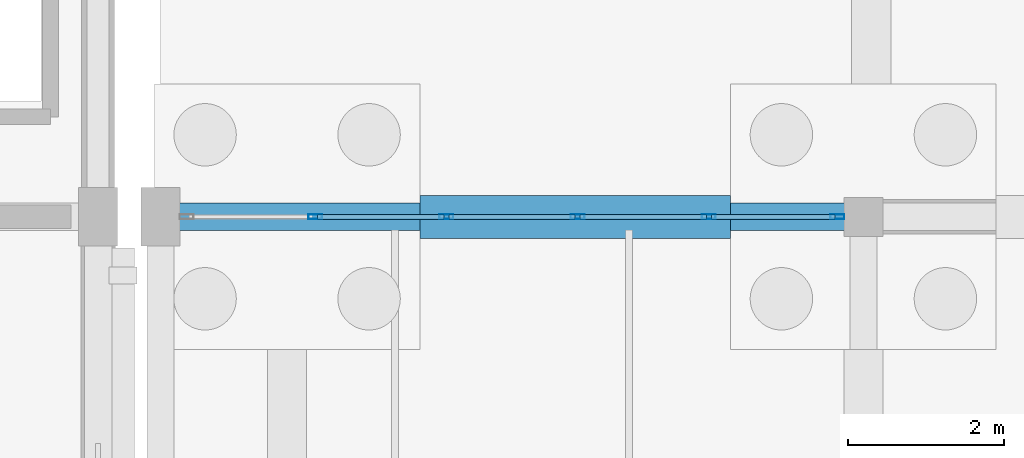
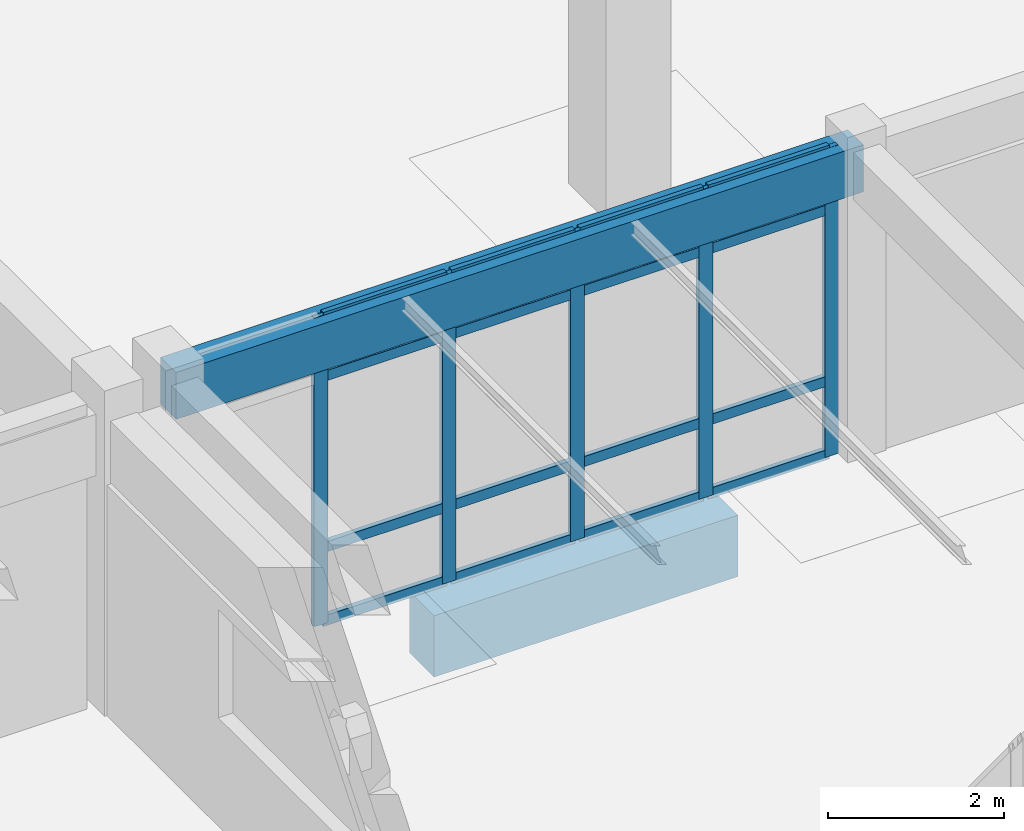
# One storey, part 108 of 186: 21 members, 2 beams, 1 element without a shape of its own.
"""IFC4 building model written with IfcOpenShell, lengths in metres."""

import ifcopenshell
import ifcopenshell.guid

model = None  # the IFC model being written
_history = None  # IfcOwnerHistory: only IFC2X3 demands one
_inside = {}  # id of a spatial element -> (the spatial element, [elements in it])
_under = {}  # id of a project, library or spatial element -> (it, [spatial elements below it])
_declared = {}  # id of a project -> (the project, [libraries it declares])
_typed = {}  # id of a type object -> (the type object, [elements of that type])
_made_of = {}  # id of a material, layer set ... -> (it, [elements and type objects made of it])


def new_model(schema):
    """Start an empty IFC model of exactly this schema.

    Asked for "IFC4X3", IfcOpenShell would pick the latest addendum, in which some entities
    have other attributes; the version numbers below select the first issue.
    IFC2X3 requires an IfcOwnerHistory on every rooted entity: one is made here for all.
    """
    global model, _history
    if schema == "IFC4X3":
        model = ifcopenshell.file(schema_version=(4, 3, 0, 0))
    else:
        model = ifcopenshell.file(schema=schema)
    _inside.clear()
    _under.clear()
    _declared.clear()
    _typed.clear()
    _made_of.clear()
    _history = None
    if model.schema == "IFC2X3":
        org = make("IfcOrganization", Name="unknown")
        user = make(
            "IfcPersonAndOrganization",
            ThePerson=make("IfcPerson", FamilyName="unknown"),
            TheOrganization=org,
        )
        app = make(
            "IfcApplication",
            ApplicationDeveloper=org,
            Version="unknown",
            ApplicationFullName="unknown",
            ApplicationIdentifier="unknown",
        )
        _history = make(
            "IfcOwnerHistory",
            OwningUser=user,
            OwningApplication=app,
            ChangeAction="ADDED",
            CreationDate=0,
        )
    return model


def make(cls, **values):
    """One entity of the class cls with the attributes given. An attribute that is None is left unset."""
    return model.create_entity(
        cls, **{name: value for name, value in values.items() if value is not None}
    )


def rooted(cls, **values):
    """An entity with a GlobalId (a new one), such as an element, a storey or a relation."""
    return make(cls, GlobalId=ifcopenshell.guid.new(), OwnerHistory=_history, **values)


def si_unit(unit_type, name, prefix=None):
    """IfcSIUnit, for example si_unit("LENGTHUNIT", "METRE", prefix="MILLI")."""
    return make("IfcSIUnit", UnitType=unit_type, Prefix=prefix, Name=name)


def assignment(units):
    """IfcUnitAssignment: the units of a project."""
    return None if units is None else make("IfcUnitAssignment", Units=units)


def point(xyz):
    """IfcCartesianPoint."""
    return None if xyz is None else make("IfcCartesianPoint", Coordinates=xyz)


def direction(xyz):
    """IfcDirection."""
    return None if xyz is None else make("IfcDirection", DirectionRatios=xyz)


def frame(location, z_axis=None, x_axis=None):
    """IfcAxis2Placement3D, a coordinate frame: its origin and axes. An axis left out is left unset."""
    return make(
        "IfcAxis2Placement3D",
        Location=point(location),
        Axis=direction(z_axis),
        RefDirection=direction(x_axis),
    )


def frame_2d(location, x_axis=None):
    """IfcAxis2Placement2D, a coordinate frame in the plane: its origin and x axis."""
    return make(
        "IfcAxis2Placement2D", Location=point(location), RefDirection=direction(x_axis)
    )


def origin():
    """The frame at (0, 0, 0) with its axes left unset."""
    return frame((0.0, 0.0, 0.0))


def origin_2d():
    """The frame at (0, 0) in the plane with its x axis left unset."""
    return frame_2d((0.0, 0.0))


def place(relative_to, where):
    """IfcLocalPlacement: puts the frame where relative to a parent placement (None: the world)."""
    return make(
        "IfcLocalPlacement", PlacementRelTo=relative_to, RelativePlacement=where
    )


def context(
    kind, dimensions, precision=None, world=None, true_north=None, identifier=None
):
    """IfcGeometricRepresentationContext, for example the 3D "Model" context."""
    return make(
        "IfcGeometricRepresentationContext",
        ContextIdentifier=identifier,
        ContextType=kind,
        CoordinateSpaceDimension=dimensions,
        Precision=precision,
        WorldCoordinateSystem=world,
        TrueNorth=true_north,
    )


def subcontext(parent, identifier, kind, view, scale=None):
    """IfcGeometricRepresentationSubContext, for example "Body" below "Model"."""
    return make(
        "IfcGeometricRepresentationSubContext",
        ContextIdentifier=identifier,
        ContextType=kind,
        ParentContext=parent,
        TargetScale=scale,
        TargetView=view,
    )


def project(units=None, contexts=None):
    """IfcProject with its units and contexts."""
    return rooted(
        "IfcProject",
        Name="project",
        RepresentationContexts=contexts,
        UnitsInContext=assignment(units),
    )


def spatial(cls, under=None, at=None, **own):
    """A site, building, storey or space (cls), placed at a placement, below another one or the project."""
    s = rooted(cls, ObjectPlacement=at, **own)
    if under is not None:
        _under.setdefault(under.id(), (under, []))[1].append(s)
    return s


def profile(cls, at=None, kind="AREA", **sizes):
    """A parametric profile (cls). Its sizes go by their IFC names, for example OverallWidth=200.0."""
    return make(cls, ProfileType=kind, Position=at, **sizes)


def rectangle(**sizes):
    """IfcRectangleProfileDef."""
    return profile("IfcRectangleProfileDef", **sizes)


def hollow_rectangle(**sizes):
    """IfcRectangleHollowProfileDef."""
    return profile("IfcRectangleHollowProfileDef", **sizes)


def extrude(swept, where, along, depth):
    """IfcExtrudedAreaSolid: the profile swept, set in the frame where, extruded along a direction by depth."""
    return make(
        "IfcExtrudedAreaSolid",
        SweptArea=swept,
        Position=where,
        ExtrudedDirection=direction(along),
        Depth=depth,
    )


def shape(context_of_items, identifier, shape_type, items):
    """IfcShapeRepresentation: the items that make up one representation, for example the "Body"."""
    return make(
        "IfcShapeRepresentation",
        ContextOfItems=context_of_items,
        RepresentationIdentifier=identifier,
        RepresentationType=shape_type,
        Items=items,
    )


def material(Name=None, Category=None):
    """IfcMaterial."""
    return make("IfcMaterial", Name=Name, Category=Category)


def layer(
    of_material, thickness, ventilated=None, Name=None, Category=None, Priority=None
):
    """IfcMaterialLayer: one layer of a wall or slab, of a material (None: an air gap)."""
    return make(
        "IfcMaterialLayer",
        Material=of_material,
        LayerThickness=thickness,
        IsVentilated=ventilated,
        Name=Name,
        Category=Category,
        Priority=Priority,
    )


def layer_set(layers, Name=None):
    """IfcMaterialLayerSet."""
    return make("IfcMaterialLayerSet", MaterialLayers=layers, LayerSetName=Name)


def material_profile(
    of_material, cross_section, Name=None, Category=None, Priority=None
):
    """IfcMaterialProfile: a cross section and its material."""
    return make(
        "IfcMaterialProfile",
        Name=Name,
        Material=of_material,
        Profile=cross_section,
        Priority=Priority,
        Category=Category,
    )


def profile_set(profiles, Name=None, composite=None):
    """IfcMaterialProfileSet."""
    return make(
        "IfcMaterialProfileSet",
        Name=Name,
        MaterialProfiles=profiles,
        CompositeProfile=composite,
    )


def made_of(thing, what):
    """Note that an element or type object is made of a material, layer set ...; save() writes the relation."""
    if what is not None:
        _made_of.setdefault(what.id(), (what, []))[1].append(thing)
    return thing


def type_object(cls, material=None, **own):
    """A type object (cls), such as IfcWallType, which elements share."""
    return made_of(rooted(cls, **own), material)


def element(
    cls,
    number,
    at=None,
    inside=None,
    cuts=None,
    type_object=None,
    material=None,
    context=None,
    identifier="Body",
    shape_type=None,
    held_by="IfcProductDefinitionShape",
    body=None,
    shapes=None,
    **own,
):
    """One element of the class cls, such as IfcWall. Its Tag is "e" and its number.

    at: its placement. inside: the storey or other place that contains it. cuts: it is an
    opening in that element (IfcRelVoidsElement). A single representation is given by context,
    identifier, shape_type and body (its items); several are given by shapes. held_by: the class
    of the entity that holds the representations. save() writes the other relations.
    """
    e = rooted(cls, Tag="e%d" % number, ObjectPlacement=at, **own)
    if body is not None:
        shapes = [shape(context, identifier, shape_type, body)]
    if shapes is not None:
        e.Representation = make(held_by, Representations=shapes)
    if inside is not None:
        _inside.setdefault(inside.id(), (inside, []))[1].append(e)
    if cuts is not None:
        rooted(
            "IfcRelVoidsElement", RelatingBuildingElement=cuts, RelatedOpeningElement=e
        )
    if type_object is not None:
        _typed.setdefault(type_object.id(), (type_object, []))[1].append(e)
    return made_of(e, material)


def aggregate(whole, parts):
    """IfcRelAggregates: a whole, such as a stair, and the parts it consists of."""
    return rooted("IfcRelAggregates", RelatingObject=whole, RelatedObjects=parts)


def save(model, path):
    """Write the relations noted so far, then the file.

    IfcRelAggregates (storeys below a building ...), IfcRelContainedInSpatialStructure (elements
    in a storey), IfcRelDefinesByType, IfcRelAssociatesMaterial and IfcRelDeclares: one each for
    every whole, place, type object, material and project.
    """
    for whole, parts in _under.values():
        aggregate(whole, parts)
    for where, things in _inside.values():
        rooted(
            "IfcRelContainedInSpatialStructure",
            RelatedElements=things,
            RelatingStructure=where,
        )
    for kind, things in _typed.values():
        rooted("IfcRelDefinesByType", RelatedObjects=things, RelatingType=kind)
    for what, things in _made_of.values():
        rooted("IfcRelAssociatesMaterial", RelatedObjects=things, RelatingMaterial=what)
    for by, libraries in _declared.values():
        rooted("IfcRelDeclares", RelatingContext=by, RelatedDefinitions=libraries)
    model.write(path)


model = new_model("IFC4")

# Units and contexts
model_context = context("Model", 3, precision=1e-05, world=origin(), true_north=direction((0.0, 1.0)))
body_context = subcontext(model_context, "Body", "Model", "MODEL_VIEW")
ifc_project = project(units=[si_unit("LENGTHUNIT", "METRE"), si_unit("AREAUNIT", "SQUARE_METRE"), si_unit("VOLUMEUNIT", "CUBIC_METRE"), si_unit("PLANEANGLEUNIT", "RADIAN"), si_unit("MASSUNIT", "GRAM", prefix="KILO")], contexts=[model_context])

# Site, building, storey
site_placement = place(None, origin())
site = spatial("IfcSite", under=ifc_project, at=site_placement, CompositionType="ELEMENT")
building_placement = place(site_placement, origin())
building = spatial("IfcBuilding", under=site, at=building_placement, Name="Ornek Quay Market", CompositionType="ELEMENT")
storey_placement = place(building_placement, origin())
storey = spatial("IfcBuildingStorey", under=building, at=storey_placement, Name="L00", CompositionType="ELEMENT", Elevation=0.0)

# Beams
ifc_material_1 = material(Name="Concrete C35/45", Category="concrete")
ifc_material_profile_1 = material_profile(ifc_material_1, rectangle(XDim=0.35009765625, YDim=0.64990234375, at=origin_2d()), Name="RC 350x650", Category="concrete")
ifc_profile_set_1 = profile_set([ifc_material_profile_1], Name="Concrete C35/45")
beam_type_1 = type_object("IfcBeamType", Name="BM-CONC-350x650", PredefinedType="BEAM", material=ifc_profile_set_1)
beam_1_placement = place(storey_placement, frame((126.0, 29.0, 3.945068359375), z_axis=(1.0, 0.0, 0.0), x_axis=(0.0, 1.0, 0.0)))
element("IfcBeam", 1, at=beam_1_placement, inside=storey, type_object=beam_type_1, Name="Primary beam B-CN1-090", PredefinedType="BEAM", context=body_context, shape_type="SweptSolid", body=[
    extrude(rectangle(XDim=0.35009765625, YDim=0.64990234375, at=origin_2d()), origin(), (0.0, 0.0, 1.0), 9.0),
])
ifc_material_profile_2 = material_profile(ifc_material_1, rectangle(XDim=0.550048828125, YDim=0.85009765625, at=origin_2d()), Name="RC 550x850", Category="concrete")
ifc_profile_set_2 = profile_set([ifc_material_profile_2], Name="Concrete C35/45")
beam_type_2 = type_object("IfcBeamType", Name="BM-GB-550x850", PredefinedType="BEAM", material=ifc_profile_set_2)
beam_2_placement = place(storey_placement, frame((129.320068359375, 29.0, -0.625), z_axis=(1.0, 0.0, 0.0), x_axis=(0.0, 1.0, 0.0)))
element("IfcBeam", 2, at=beam_2_placement, inside=storey, type_object=beam_type_2, Name="Ground tie beam GB-311", PredefinedType="BEAM", context=body_context, shape_type="SweptSolid", body=[
    extrude(rectangle(XDim=0.550048828125, YDim=0.85009765625, at=origin_2d()), origin(), (0.0, 0.0, 1.0), 3.97998046875),
])

# Curtain wall, members
ifc_material_2 = material(Name="Anodised bronze aluminium and triple low-e glass", Category="aluminium")
ifc_layer = layer(ifc_material_2, 0.199951171875, Name="Anodised bronze aluminium and triple low-e glass", Category="aluminium")
ifc_layer_set = layer_set([ifc_layer], Name="Anodised bronze aluminium and triple low-e glass")
curtain_wall_type = type_object("IfcCurtainWallType", Name="CW-CONC-MOD1800", PredefinedType="USERDEFINED", material=ifc_layer_set)
curtain_wall_placement = place(storey_placement, origin())
curtain_wall = element("IfcCurtainWall", 3, at=curtain_wall_placement, inside=storey, type_object=curtain_wall_type, Name="Curtain wall CW-027", ObjectType="CURTAIN WALL", PredefinedType="USERDEFINED")
ifc_material_3 = material(Name="Anodised aluminium 6063-T6", Category="aluminium")
ifc_material_profile_3 = material_profile(ifc_material_3, hollow_rectangle(XDim=0.06494140625, YDim=0.179931640625, WallThickness=0.00439453125, at=origin_2d()), Name="CW-MUL-65x180", Category="aluminium")
ifc_profile_set_3 = profile_set([ifc_material_profile_3], Name="Anodised aluminium 6063-T6")
member_type_1 = type_object("IfcMemberType", Name="CW-MUL-65x180", PredefinedType="MULLION", material=ifc_profile_set_3)
member_1_placement = place(storey_placement, frame((127.97998046875, 29.0, 0.0), z_axis=(0.0, 0.0, 1.0), x_axis=(0.0, 1.0, 0.0)))
member_1 = element("IfcMember", 4, at=member_1_placement, type_object=member_type_1, Name="CW-027 mullion 2", PredefinedType="MULLION", context=body_context, shape_type="SweptSolid", body=[
    extrude(hollow_rectangle(XDim=0.06494140625, YDim=0.179931640625, WallThickness=0.00439453125, at=origin_2d()), origin(), (0.0, 0.0, 1.0), 4.27001953125),
])
member_2_placement = place(storey_placement, frame((129.659912109375, 29.0, 0.0), z_axis=(0.0, 0.0, 1.0), x_axis=(0.0, 1.0, 0.0)))
member_2 = element("IfcMember", 5, at=member_2_placement, type_object=member_type_1, Name="CW-027 mullion 3", PredefinedType="MULLION", context=body_context, shape_type="SweptSolid", body=[
    extrude(hollow_rectangle(XDim=0.06494140625, YDim=0.179931640625, WallThickness=0.00439453125, at=origin_2d()), origin(), (0.0, 0.0, 1.0), 4.27001953125),
])
member_3_placement = place(storey_placement, frame((131.340087890625, 29.0, 0.0), z_axis=(0.0, 0.0, 1.0), x_axis=(0.0, 1.0, 0.0)))
member_3 = element("IfcMember", 6, at=member_3_placement, type_object=member_type_1, Name="CW-027 mullion 4", PredefinedType="MULLION", context=body_context, shape_type="SweptSolid", body=[
    extrude(hollow_rectangle(XDim=0.06494140625, YDim=0.179931640625, WallThickness=0.00439453125, at=origin_2d()), origin(), (0.0, 0.0, 1.0), 4.27001953125),
])
member_4_placement = place(storey_placement, frame((133.02001953125, 29.0, 0.0), z_axis=(0.0, 0.0, 1.0), x_axis=(0.0, 1.0, 0.0)))
member_4 = element("IfcMember", 7, at=member_4_placement, type_object=member_type_1, Name="CW-027 mullion 5", PredefinedType="MULLION", context=body_context, shape_type="SweptSolid", body=[
    extrude(hollow_rectangle(XDim=0.06494140625, YDim=0.179931640625, WallThickness=0.00439453125, at=origin_2d()), origin(), (0.0, 0.0, 1.0), 4.27001953125),
])
member_5_placement = place(storey_placement, frame((134.66748046875, 29.0, 0.0), z_axis=(0.0, 0.0, 1.0), x_axis=(0.0, 1.0, 0.0)))
member_5 = element("IfcMember", 8, at=member_5_placement, type_object=member_type_1, Name="CW-027 mullion 6", PredefinedType="MULLION", context=body_context, shape_type="SweptSolid", body=[
    extrude(hollow_rectangle(XDim=0.06494140625, YDim=0.179931640625, WallThickness=0.00439453125, at=origin_2d()), origin(), (0.0, 0.0, 1.0), 4.27001953125),
])
ifc_material_profile_4 = material_profile(ifc_material_3, hollow_rectangle(XDim=0.06494140625, YDim=0.139892578125, WallThickness=0.00439453125, at=origin_2d()), Name="CW-TRN-65x140", Category="aluminium")
ifc_profile_set_4 = profile_set([ifc_material_profile_4], Name="Anodised aluminium 6063-T6")
member_type_2 = type_object("IfcMemberType", Name="CW-TRN-65x140", PredefinedType="USERDEFINED", material=ifc_profile_set_4)
member_6_placement = place(storey_placement, frame((128.012451171875, 29.0, 0.032470703125), z_axis=(1.0, 0.0, 0.0), x_axis=(0.0, 1.0, 0.0)))
member_6 = element("IfcMember", 9, at=member_6_placement, type_object=member_type_2, Name="CW-027 transom 2.1", ObjectType="TRANSOM", PredefinedType="USERDEFINED", context=body_context, shape_type="SweptSolid", body=[
    extrude(hollow_rectangle(XDim=0.06494140625, YDim=0.139892578125, WallThickness=0.00439453125, at=origin_2d()), origin(), (0.0, 0.0, 1.0), 1.614990234375),
])
member_7_placement = place(storey_placement, frame((128.012451171875, 29.0, 1.050048828125), z_axis=(1.0, 0.0, 0.0), x_axis=(0.0, 1.0, 0.0)))
member_7 = element("IfcMember", 10, at=member_7_placement, type_object=member_type_2, Name="CW-027 transom 2.2", ObjectType="TRANSOM", PredefinedType="USERDEFINED", context=body_context, shape_type="SweptSolid", body=[
    extrude(hollow_rectangle(XDim=0.06494140625, YDim=0.139892578125, WallThickness=0.00439453125, at=origin_2d()), origin(), (0.0, 0.0, 1.0), 1.614990234375),
])
member_8_placement = place(storey_placement, frame((128.012451171875, 29.0, 3.419921875), z_axis=(1.0, 0.0, 0.0), x_axis=(0.0, 1.0, 0.0)))
member_8 = element("IfcMember", 11, at=member_8_placement, type_object=member_type_2, Name="CW-027 transom 2.3", ObjectType="TRANSOM", PredefinedType="USERDEFINED", context=body_context, shape_type="SweptSolid", body=[
    extrude(hollow_rectangle(XDim=0.06494140625, YDim=0.139892578125, WallThickness=0.00439453125, at=origin_2d()), origin(), (0.0, 0.0, 1.0), 1.614990234375),
])
member_9_placement = place(storey_placement, frame((128.012451171875, 29.0, 4.237548828125), z_axis=(1.0, 0.0, 0.0), x_axis=(0.0, 1.0, 0.0)))
member_9 = element("IfcMember", 12, at=member_9_placement, type_object=member_type_2, Name="CW-027 transom 2.4", ObjectType="TRANSOM", PredefinedType="USERDEFINED", context=body_context, shape_type="SweptSolid", body=[
    extrude(hollow_rectangle(XDim=0.06494140625, YDim=0.139892578125, WallThickness=0.00439453125, at=origin_2d()), origin(), (0.0, 0.0, 1.0), 1.614990234375),
])
member_10_placement = place(storey_placement, frame((129.6923828125, 29.0, 0.032470703125), z_axis=(1.0, 0.0, 0.0), x_axis=(0.0, 1.0, 0.0)))
member_10 = element("IfcMember", 13, at=member_10_placement, type_object=member_type_2, Name="CW-027 transom 3.1", ObjectType="TRANSOM", PredefinedType="USERDEFINED", context=body_context, shape_type="SweptSolid", body=[
    extrude(hollow_rectangle(XDim=0.06494140625, YDim=0.139892578125, WallThickness=0.00439453125, at=origin_2d()), origin(), (0.0, 0.0, 1.0), 1.615234375),
])
member_11_placement = place(storey_placement, frame((129.6923828125, 29.0, 1.050048828125), z_axis=(1.0, 0.0, 0.0), x_axis=(0.0, 1.0, 0.0)))
member_11 = element("IfcMember", 14, at=member_11_placement, type_object=member_type_2, Name="CW-027 transom 3.2", ObjectType="TRANSOM", PredefinedType="USERDEFINED", context=body_context, shape_type="SweptSolid", body=[
    extrude(hollow_rectangle(XDim=0.06494140625, YDim=0.139892578125, WallThickness=0.00439453125, at=origin_2d()), origin(), (0.0, 0.0, 1.0), 1.615234375),
])
member_12_placement = place(storey_placement, frame((129.6923828125, 29.0, 3.419921875), z_axis=(1.0, 0.0, 0.0), x_axis=(0.0, 1.0, 0.0)))
member_12 = element("IfcMember", 15, at=member_12_placement, type_object=member_type_2, Name="CW-027 transom 3.3", ObjectType="TRANSOM", PredefinedType="USERDEFINED", context=body_context, shape_type="SweptSolid", body=[
    extrude(hollow_rectangle(XDim=0.06494140625, YDim=0.139892578125, WallThickness=0.00439453125, at=origin_2d()), origin(), (0.0, 0.0, 1.0), 1.615234375),
])
member_13_placement = place(storey_placement, frame((129.6923828125, 29.0, 4.237548828125), z_axis=(1.0, 0.0, 0.0), x_axis=(0.0, 1.0, 0.0)))
member_13 = element("IfcMember", 16, at=member_13_placement, type_object=member_type_2, Name="CW-027 transom 3.4", ObjectType="TRANSOM", PredefinedType="USERDEFINED", context=body_context, shape_type="SweptSolid", body=[
    extrude(hollow_rectangle(XDim=0.06494140625, YDim=0.139892578125, WallThickness=0.00439453125, at=origin_2d()), origin(), (0.0, 0.0, 1.0), 1.615234375),
])
member_14_placement = place(storey_placement, frame((131.37255859375, 29.0, 0.032470703125), z_axis=(1.0, 0.0, 0.0), x_axis=(0.0, 1.0, 0.0)))
member_14 = element("IfcMember", 17, at=member_14_placement, type_object=member_type_2, Name="CW-027 transom 4.1", ObjectType="TRANSOM", PredefinedType="USERDEFINED", context=body_context, shape_type="SweptSolid", body=[
    extrude(hollow_rectangle(XDim=0.06494140625, YDim=0.139892578125, WallThickness=0.00439453125, at=origin_2d()), origin(), (0.0, 0.0, 1.0), 1.614990234375),
])
member_15_placement = place(storey_placement, frame((131.37255859375, 29.0, 1.050048828125), z_axis=(1.0, 0.0, 0.0), x_axis=(0.0, 1.0, 0.0)))
member_15 = element("IfcMember", 18, at=member_15_placement, type_object=member_type_2, Name="CW-027 transom 4.2", ObjectType="TRANSOM", PredefinedType="USERDEFINED", context=body_context, shape_type="SweptSolid", body=[
    extrude(hollow_rectangle(XDim=0.06494140625, YDim=0.139892578125, WallThickness=0.00439453125, at=origin_2d()), origin(), (0.0, 0.0, 1.0), 1.614990234375),
])
member_16_placement = place(storey_placement, frame((131.37255859375, 29.0, 3.419921875), z_axis=(1.0, 0.0, 0.0), x_axis=(0.0, 1.0, 0.0)))
member_16 = element("IfcMember", 19, at=member_16_placement, type_object=member_type_2, Name="CW-027 transom 4.3", ObjectType="TRANSOM", PredefinedType="USERDEFINED", context=body_context, shape_type="SweptSolid", body=[
    extrude(hollow_rectangle(XDim=0.06494140625, YDim=0.139892578125, WallThickness=0.00439453125, at=origin_2d()), origin(), (0.0, 0.0, 1.0), 1.614990234375),
])
member_17_placement = place(storey_placement, frame((131.37255859375, 29.0, 4.237548828125), z_axis=(1.0, 0.0, 0.0), x_axis=(0.0, 1.0, 0.0)))
member_17 = element("IfcMember", 20, at=member_17_placement, type_object=member_type_2, Name="CW-027 transom 4.4", ObjectType="TRANSOM", PredefinedType="USERDEFINED", context=body_context, shape_type="SweptSolid", body=[
    extrude(hollow_rectangle(XDim=0.06494140625, YDim=0.139892578125, WallThickness=0.00439453125, at=origin_2d()), origin(), (0.0, 0.0, 1.0), 1.614990234375),
])
member_18_placement = place(storey_placement, frame((133.052490234375, 29.0, 0.032470703125), z_axis=(1.0, 0.0, 0.0), x_axis=(0.0, 1.0, 0.0)))
member_18 = element("IfcMember", 21, at=member_18_placement, type_object=member_type_2, Name="CW-027 transom 5.1", ObjectType="TRANSOM", PredefinedType="USERDEFINED", context=body_context, shape_type="SweptSolid", body=[
    extrude(hollow_rectangle(XDim=0.06494140625, YDim=0.139892578125, WallThickness=0.00439453125, at=origin_2d()), origin(), (0.0, 0.0, 1.0), 1.58251953125),
])
member_19_placement = place(storey_placement, frame((133.052490234375, 29.0, 1.050048828125), z_axis=(1.0, 0.0, 0.0), x_axis=(0.0, 1.0, 0.0)))
member_19 = element("IfcMember", 22, at=member_19_placement, type_object=member_type_2, Name="CW-027 transom 5.2", ObjectType="TRANSOM", PredefinedType="USERDEFINED", context=body_context, shape_type="SweptSolid", body=[
    extrude(hollow_rectangle(XDim=0.06494140625, YDim=0.139892578125, WallThickness=0.00439453125, at=origin_2d()), origin(), (0.0, 0.0, 1.0), 1.58251953125),
])
member_20_placement = place(storey_placement, frame((133.052490234375, 29.0, 3.419921875), z_axis=(1.0, 0.0, 0.0), x_axis=(0.0, 1.0, 0.0)))
member_20 = element("IfcMember", 23, at=member_20_placement, type_object=member_type_2, Name="CW-027 transom 5.3", ObjectType="TRANSOM", PredefinedType="USERDEFINED", context=body_context, shape_type="SweptSolid", body=[
    extrude(hollow_rectangle(XDim=0.06494140625, YDim=0.139892578125, WallThickness=0.00439453125, at=origin_2d()), origin(), (0.0, 0.0, 1.0), 1.58251953125),
])
member_21_placement = place(storey_placement, frame((133.052490234375, 29.0, 4.237548828125), z_axis=(1.0, 0.0, 0.0), x_axis=(0.0, 1.0, 0.0)))
member_21 = element("IfcMember", 24, at=member_21_placement, type_object=member_type_2, Name="CW-027 transom 5.4", ObjectType="TRANSOM", PredefinedType="USERDEFINED", context=body_context, shape_type="SweptSolid", body=[
    extrude(hollow_rectangle(XDim=0.06494140625, YDim=0.139892578125, WallThickness=0.00439453125, at=origin_2d()), origin(), (0.0, 0.0, 1.0), 1.58251953125),
])
aggregate(curtain_wall, [member_1, member_2, member_3, member_4, member_5, member_6, member_7, member_8, member_9, member_10, member_11, member_12, member_13, member_14, member_15, member_16, member_17, member_18, member_19, member_20, member_21])

save(model, "model.ifc")
